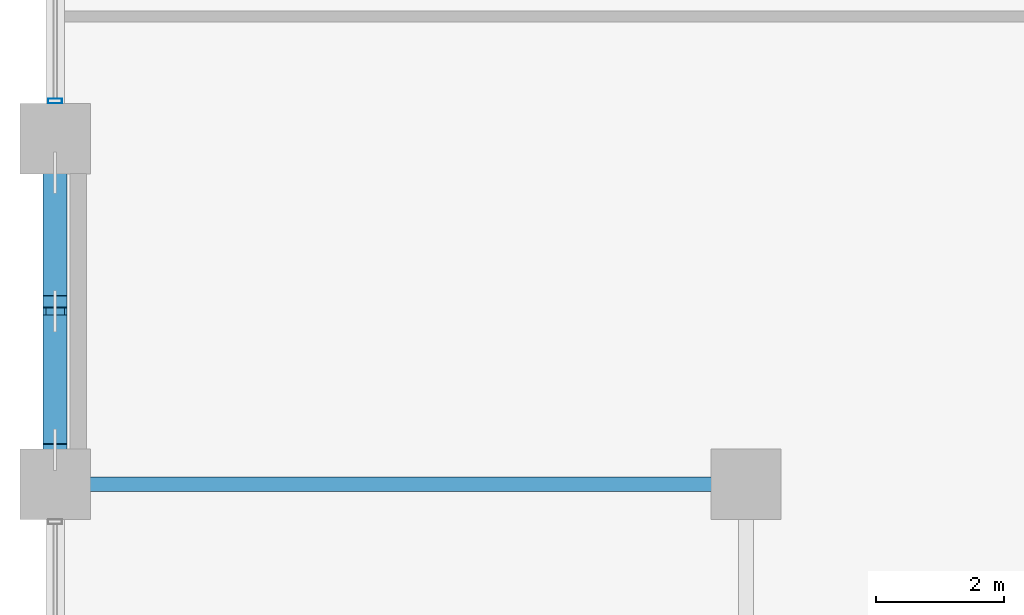
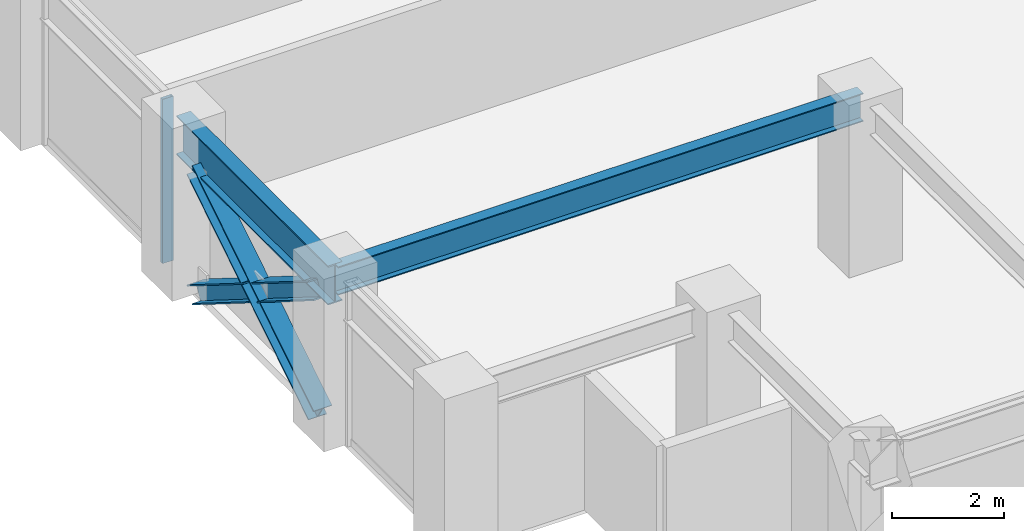
# One storey, part 3 of 25: 4 members, 2 beams, 1 element without a shape of its own.
"""IFC4 building model written with IfcOpenShell, lengths in metres."""

from ifc_helpers import new_model, si_unit, direction, frame, origin, origin_2d, place, context, subcontext, project, spatial, hollow_rectangle, i_section, extrude, material, layer, layer_set, material_profile, profile_set, type_object, element, aggregate, save


model = new_model("IFC4")

# Units and contexts
model_context = context("Model", 3, precision=1e-05, world=origin(), true_north=direction((0.0, 1.0)))
body_context = subcontext(model_context, "Body", "Model", "MODEL_VIEW")
ifc_project = project(units=[si_unit("LENGTHUNIT", "METRE"), si_unit("AREAUNIT", "SQUARE_METRE"), si_unit("VOLUMEUNIT", "CUBIC_METRE"), si_unit("PLANEANGLEUNIT", "RADIAN"), si_unit("MASSUNIT", "GRAM", prefix="KILO")], contexts=[model_context])

# Site, building, storey
site_placement = place(None, origin())
site = spatial("IfcSite", under=ifc_project, at=site_placement, CompositionType="ELEMENT")
building_placement = place(site_placement, origin())
building = spatial("IfcBuilding", under=site, at=building_placement, Name="Surkhivell Harbour Commons", CompositionType="ELEMENT")
storey_placement = place(building_placement, frame((0.0, 0.0, 124.5)))
storey = spatial("IfcBuildingStorey", under=building, at=storey_placement, Name="L32", CompositionType="ELEMENT", Elevation=124.5)

# Beams
ifc_material_1 = material(Name="Steel S355", Category="steel")
ifc_material_profile_1 = material_profile(ifc_material_1, i_section(OverallWidth=0.22998046875, OverallDepth=0.616943359375, WebThickness=0.01318359375, FlangeThickness=0.022216796875, at=origin_2d()), Name="UB610x229x140")
ifc_profile_set_1 = profile_set([ifc_material_profile_1], Name="Steel S355")
beam_type_1 = type_object("IfcBeamType", Name="BM-GRD-610B", PredefinedType="BEAM", material=ifc_profile_set_1)
beam_1_placement = place(storey_placement, frame((-32.39990234375, -16.199951171875, 3.261474609375), z_axis=(1.0, 0.0, 0.0), x_axis=(0.0, 1.0, 0.0)))
element("IfcBeam", 1, at=beam_1_placement, inside=storey, type_object=beam_type_1, Name="L32 Floor Girder (-32.4,-16.2)", PredefinedType="BEAM", context=body_context, shape_type="SweptSolid", body=[
    extrude(i_section(OverallWidth=0.22998046875, OverallDepth=0.616943359375, WebThickness=0.01318359375, FlangeThickness=0.022216796875, at=origin_2d()), origin(), (0.0, 0.0, 1.0), 10.7998046875),
])
ifc_material_2 = material(Name="Steel S460", Category="steel")
ifc_material_profile_2 = material_profile(ifc_material_2, i_section(OverallWidth=0.2939453125, OverallDepth=0.85107421875, WebThickness=0.01611328125, FlangeThickness=0.02685546875, at=origin_2d()), Name="UB838x292x226")
ifc_profile_set_2 = profile_set([ifc_material_profile_2], Name="Steel S460")
beam_type_2 = type_object("IfcBeamType", Name="BM-SPN-838", PredefinedType="SPANDREL", material=ifc_profile_set_2)
beam_2_placement = place(storey_placement, frame((-32.39990234375, -16.199951171875, 3.14453125), z_axis=(0.0, 1.0, 0.0), x_axis=(-1.0, 0.0, 0.0)))
element("IfcBeam", 2, at=beam_2_placement, inside=storey, type_object=beam_type_2, Name="L32 Tube Spandrel (-32.4,-16.2)", PredefinedType="SPANDREL", context=body_context, shape_type="SweptSolid", body=[
    extrude(i_section(OverallWidth=0.2939453125, OverallDepth=0.85107421875, WebThickness=0.01611328125, FlangeThickness=0.02685546875, at=origin_2d()), origin(), (0.0, 0.0, 1.0), 5.39990234375),
])

# Curtain wall, member
ifc_material_3 = material(Name="Anodised pale-metal aluminium and insulated glazing", Category="aluminium")
ifc_layer = layer(ifc_material_3, 0.205078125)
ifc_layer_set = layer_set([ifc_layer], Name="Anodised pale-metal aluminium and insulated glazing")
curtain_wall_type = type_object("IfcCurtainWallType", Name="CW-SYS-Z2", PredefinedType="NOTDEFINED", material=ifc_layer_set)
curtain_wall_placement = place(storey_placement, origin())
curtain_wall = element("IfcCurtainWall", 3, at=curtain_wall_placement, inside=storey, type_object=curtain_wall_type, Name="L32 Curtain Wall CW-L32-E12S1", PredefinedType="NOTDEFINED")
ifc_material_4 = material(Name="Anodised pale-metal aluminium alloy 6063-T6", Category="aluminium")
ifc_material_profile_3 = material_profile(ifc_material_4, hollow_rectangle(XDim=0.074951171875, YDim=0.219970703125, WallThickness=0.00390625, at=origin_2d()), Name="ALU-MULL-75x220")
ifc_profile_set_3 = profile_set([ifc_material_profile_3], Name="Anodised pale-metal aluminium alloy 6063-T6")
member_type_1 = type_object("IfcMemberType", Name="CWM-220", PredefinedType="MULLION", material=ifc_profile_set_3)
member_1_placement = place(storey_placement, frame((-32.39990234375, -10.21044921875, 0.0), z_axis=(0.0, 0.0, 1.0), x_axis=(0.0, -1.0, 0.0)))
member_1 = element("IfcMember", 4, at=member_1_placement, type_object=member_type_1, Name="CW-Z2 mullion 7", PredefinedType="MULLION", context=body_context, shape_type="SweptSolid", body=[
    extrude(hollow_rectangle(XDim=0.074951171875, YDim=0.219970703125, WallThickness=0.00390625, at=origin_2d()), origin(), (0.0, 0.0, 1.0), 3.570068359375),
])
aggregate(curtain_wall, [member_1])

# Members
ifc_material_profile_4 = material_profile(ifc_material_2, i_section(OverallWidth=0.375, OverallDepth=0.375, WebThickness=0.0166015625, FlangeThickness=0.027099609375, at=origin_2d()), Name="UC356x368x202")
ifc_profile_set_4 = profile_set([ifc_material_profile_4], Name="Steel S460")
member_type_2 = type_object("IfcMemberType", Name="MEM-BRC-UC356", PredefinedType="BRACE", material=ifc_profile_set_4)
member_2_placement = place(storey_placement, frame((-32.39990234375, -15.6650390625, 0.008056640625), z_axis=(0.0, 0.847246015888, 0.531200704594), x_axis=(-1.0, 0.0, 0.0)))
element("IfcMember", 5, at=member_2_placement, inside=storey, type_object=member_type_2, Name="L32 Perimeter Mega-Brace MB- 10", PredefinedType="BRACE", context=body_context, shape_type="SweptSolid", body=[
    extrude(i_section(OverallWidth=0.375, OverallDepth=0.375, WebThickness=0.0166015625, FlangeThickness=0.027099609375, at=origin_2d()), origin(), (0.0, 0.0, 1.0), 5.11083984375),
])
member_3_placement = place(storey_placement, frame((-32.39990234375, -11.3349609375, 0.008056640625), z_axis=(0.0, -0.847206308526, 0.53126403115), x_axis=(1.0, 0.0, 0.0)))
element("IfcMember", 6, at=member_3_placement, inside=storey, type_object=member_type_2, Name="L32 Perimeter Mega-Brace MB- 11", PredefinedType="BRACE", context=body_context, shape_type="SweptSolid", body=[
    extrude(i_section(OverallWidth=0.375, OverallDepth=0.375, WebThickness=0.0166015625, FlangeThickness=0.027099609375, at=origin_2d()), origin(), (0.0, 0.0, 1.0), 2.37548828125),
])
member_4_placement = place(storey_placement, frame((-32.39990234375, -13.652587890625, 1.461181640625), z_axis=(0.0, -0.84725256761, 0.53119025469), x_axis=(1.0, 0.0, 0.0)))
element("IfcMember", 7, at=member_4_placement, inside=storey, type_object=member_type_2, Name="L32 Perimeter Mega-Brace MB- 12", PredefinedType="BRACE", context=body_context, shape_type="SweptSolid", body=[
    extrude(i_section(OverallWidth=0.375, OverallDepth=0.375, WebThickness=0.0166015625, FlangeThickness=0.027099609375, at=origin_2d()), origin(), (0.0, 0.0, 1.0), 2.375244140625),
])

save(model, "model.ifc")
